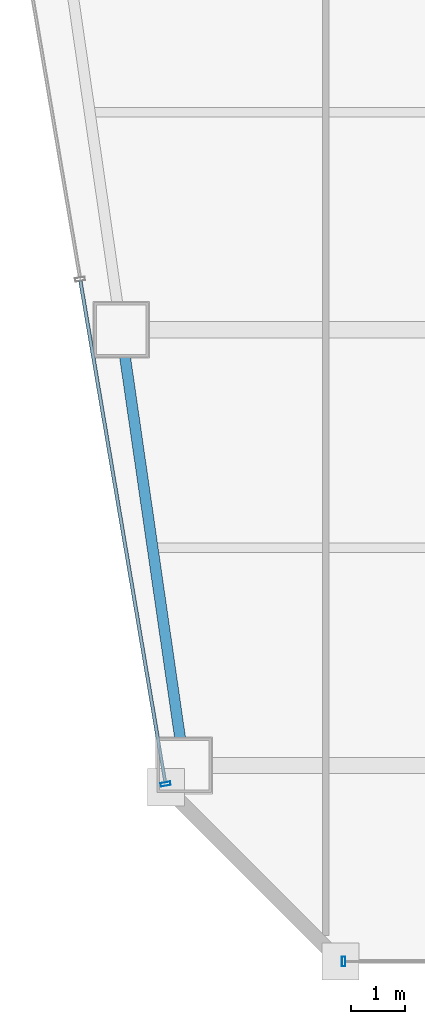
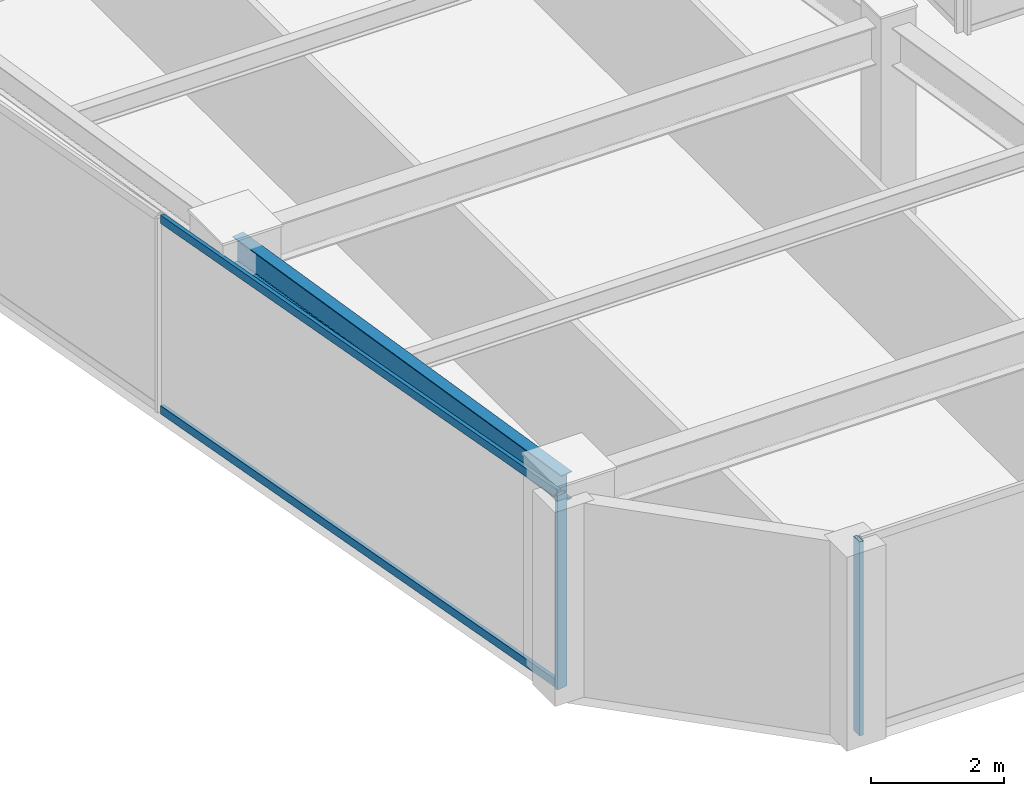
# One storey, part 2 of 35: 4 members, 1 beam, 2 elements without a shape of their own.
"""IFC4 building model written with IfcOpenShell, lengths in metres."""

from ifc_helpers import new_model, si_unit, direction, frame, origin, origin_2d, place, context, subcontext, project, spatial, hollow_rectangle, i_section, extrude, material, material_profile, profile_set, type_object, element, aggregate, save


model = new_model("IFC4")

# Units and contexts
model_context = context("Model", 3, precision=1e-05, world=origin(), true_north=direction((0.0, 1.0)))
body_context = subcontext(model_context, "Body", "Model", "MODEL_VIEW")
ifc_project = project(units=[si_unit("LENGTHUNIT", "METRE"), si_unit("AREAUNIT", "SQUARE_METRE"), si_unit("VOLUMEUNIT", "CUBIC_METRE"), si_unit("PLANEANGLEUNIT", "RADIAN"), si_unit("MASSUNIT", "GRAM", prefix="KILO")], contexts=[model_context])

# Site, building, storey
site_placement = place(None, origin())
site = spatial("IfcSite", under=ifc_project, at=site_placement, CompositionType="ELEMENT")
building_placement = place(site_placement, origin())
building = spatial("IfcBuilding", under=site, at=building_placement, Name="Saevonmaru Cultural Tower", CompositionType="ELEMENT")
storey_placement = place(building_placement, frame((0.0, 0.0, 179.0)))
storey = spatial("IfcBuildingStorey", under=building, at=storey_placement, Name="L40", CompositionType="ELEMENT", Elevation=179.0)

# Beam
ifc_material_1 = material(Name="Steel SM355", Category="steel")
ifc_material_profile_1 = material_profile(ifc_material_1, i_section(OverallWidth=0.199951171875, OverallDepth=0.5, WebThickness=0.010009765625, FlangeThickness=0.01611328125, FilletRadius=0.02001953125, at=origin_2d()), Name="H-500x200x10x16")
ifc_profile_set_1 = profile_set([ifc_material_profile_1], Name="Steel SM355")
beam_type = type_object("IfcBeamType", Name="BM-SP-H500", PredefinedType="SPANDREL", material=ifc_profile_set_1)
beam_placement = place(storey_placement, frame((10.619384765625, 16.059326171875, 3.300048828125), z_axis=(-0.142992129437, 0.989723825579, 0.0), x_axis=(-0.989723825579, -0.142992129437, 0.0)))
element("IfcBeam", 1, at=beam_placement, inside=storey, type_object=beam_type, Name="L40 West Splayed Spandrel 1", PredefinedType="SPANDREL", context=body_context, shape_type="SweptSolid", body=[
    extrude(i_section(OverallWidth=0.199951171875, OverallDepth=0.5, WebThickness=0.010009765625, FlangeThickness=0.01611328125, FilletRadius=0.02001953125, at=origin_2d()), origin(), (0.0, 0.0, 1.0), 7.963134765625),
])

# Curtain wall, member
ifc_material_2 = material(Name="Satin Bronze Anodised Aluminium", Category="aluminium")
curtain_wall_type = type_object("IfcCurtainWallType", Name="CW-TYP-B", PredefinedType="NOTDEFINED", material=ifc_material_2)
curtain_wall_1_placement = place(storey_placement, origin())
curtain_wall_1 = element("IfcCurtainWall", 2, at=curtain_wall_1_placement, inside=storey, type_object=curtain_wall_type, Name="L40 Unitised Curtain Wall E2", PredefinedType="NOTDEFINED")
ifc_material_profile_2 = material_profile(ifc_material_2, hollow_rectangle(XDim=0.06494140625, YDim=0.179931640625, WallThickness=0.00390625, at=origin_2d()), Name="ALU-MULL-180x65x4")
ifc_profile_set_2 = profile_set([ifc_material_profile_2], Name="Satin Bronze Anodised Aluminium")
member_type_1 = type_object("IfcMemberType", Name="ML-CW-180x65", PredefinedType="MULLION", material=ifc_profile_set_2)
member_1_placement = place(storey_placement, frame((13.557861328125, 12.39990234375, 0.0), z_axis=(0.0, 0.0, 1.0), x_axis=(1.0, 0.0, 0.0)))
member_1 = element("IfcMember", 3, at=member_1_placement, type_object=member_type_1, Name="CW-TW-L40-E2 mullion 1", PredefinedType="MULLION", context=body_context, shape_type="SweptSolid", body=[
    extrude(hollow_rectangle(XDim=0.06494140625, YDim=0.179931640625, WallThickness=0.00390625, at=origin_2d()), origin(), (0.0, 0.0, 1.0), 3.550048828125),
])
aggregate(curtain_wall_1, [member_1])

# Curtain wall, members
curtain_wall_2_placement = place(storey_placement, origin())
curtain_wall_2 = element("IfcCurtainWall", 4, at=curtain_wall_2_placement, inside=storey, type_object=curtain_wall_type, Name="L40 Unitised Curtain Wall E12", PredefinedType="NOTDEFINED")
member_2_placement = place(storey_placement, frame((10.287841796875, 15.6591796875, 0.0), z_axis=(0.0, 0.0, 1.0), x_axis=(0.16692169721, -0.985970155228, 0.0)))
member_2 = element("IfcMember", 5, at=member_2_placement, type_object=member_type_1, Name="CW-TW-L40-E12 mullion 5", PredefinedType="MULLION", context=body_context, shape_type="SweptSolid", body=[
    extrude(hollow_rectangle(XDim=0.06494140625, YDim=0.179931640625, WallThickness=0.00390625, at=origin_2d()), origin(), (0.0, 0.0, 1.0), 3.550048828125),
])
ifc_material_profile_3 = material_profile(ifc_material_2, hollow_rectangle(XDim=0.06494140625, YDim=0.14990234375, WallThickness=0.00390625, at=origin_2d()), Name="ALU-TRAN-150x65x4")
ifc_profile_set_3 = profile_set([ifc_material_profile_3], Name="Satin Bronze Anodised Aluminium")
member_type_2 = type_object("IfcMemberType", Name="TR-CW-150x65", PredefinedType="USERDEFINED", material=ifc_profile_set_3)
member_3_placement = place(storey_placement, frame((8.723876953125, 24.8974609375, 0.032470703125), z_axis=(0.166921263871, -0.985970228591, 0.0), x_axis=(0.985970228591, 0.166921263871, 0.0)))
member_3 = element("IfcMember", 6, at=member_3_placement, type_object=member_type_2, Name="CW-TW-L40-E12 transom 4.1", ObjectType="TRANSOM", PredefinedType="USERDEFINED", context=body_context, shape_type="SweptSolid", body=[
    extrude(hollow_rectangle(XDim=0.06494140625, YDim=0.14990234375, WallThickness=0.00390625, at=origin_2d()), origin(), (0.0, 0.0, 1.0), 9.33740234375),
])
member_4_placement = place(storey_placement, frame((8.723876953125, 24.8974609375, 3.517578125), z_axis=(0.166921263871, -0.985970228591, 0.0), x_axis=(0.985970228591, 0.166921263871, 0.0)))
member_4 = element("IfcMember", 7, at=member_4_placement, type_object=member_type_2, Name="CW-TW-L40-E12 transom 4.2", ObjectType="TRANSOM", PredefinedType="USERDEFINED", context=body_context, shape_type="SweptSolid", body=[
    extrude(hollow_rectangle(XDim=0.06494140625, YDim=0.14990234375, WallThickness=0.00390625, at=origin_2d()), origin(), (0.0, 0.0, 1.0), 9.33740234375),
])
aggregate(curtain_wall_2, [member_2, member_3, member_4])

save(model, "model.ifc")
